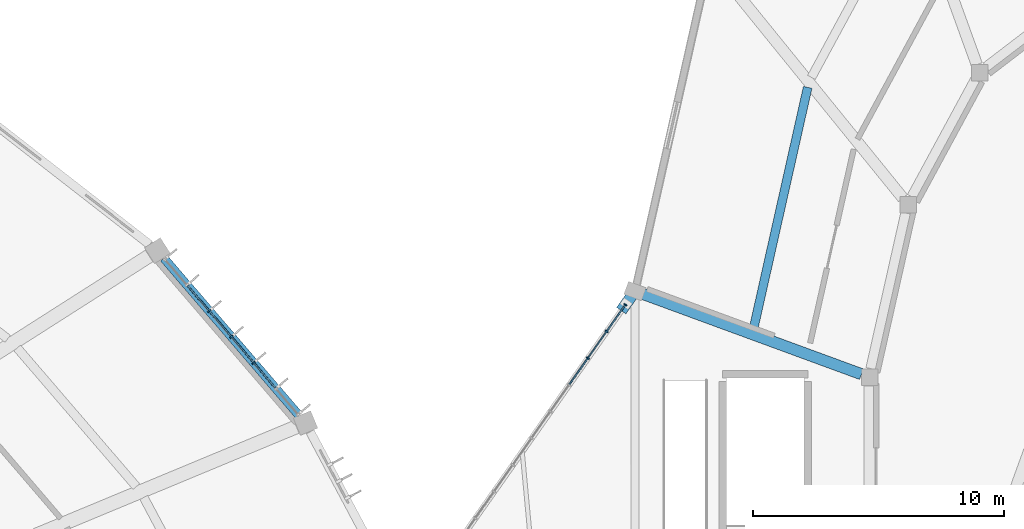
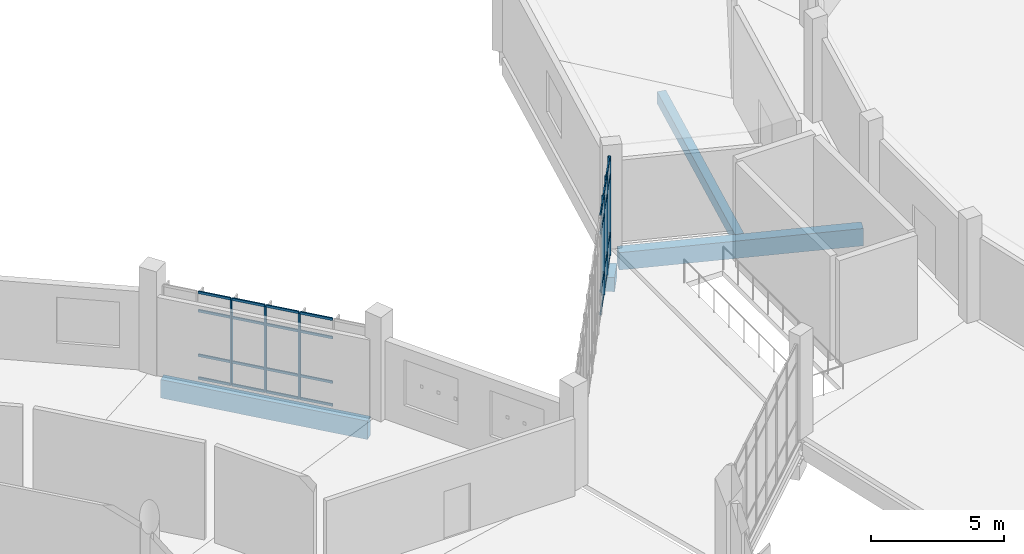
# One storey, part 63 of 179: 34 members, 4 beams, 2 elements without a shape of their own.
"""IFC4 building model written with IfcOpenShell, lengths in metres."""

from ifc_helpers import new_model, si_unit, direction, frame, origin, origin_2d, place, context, subcontext, project, spatial, rectangle, extrude, material, layer, layer_set, material_profile, profile_set, type_object, element, aggregate, save


model = new_model("IFC4")

# Units and contexts
model_context = context("Model", 3, precision=1e-05, world=origin(), true_north=direction((0.0, 1.0)))
body_context = subcontext(model_context, "Body", "Model", "MODEL_VIEW")
ifc_project = project(units=[si_unit("LENGTHUNIT", "METRE"), si_unit("AREAUNIT", "SQUARE_METRE"), si_unit("VOLUMEUNIT", "CUBIC_METRE"), si_unit("PLANEANGLEUNIT", "RADIAN"), si_unit("MASSUNIT", "GRAM", prefix="KILO")], contexts=[model_context])

# Site, building, storey
site_placement = place(None, origin())
site = spatial("IfcSite", under=ifc_project, at=site_placement, CompositionType="ELEMENT")
building_placement = place(site_placement, origin())
building = spatial("IfcBuilding", under=site, at=building_placement, Name="Corvandel Quay Wholesale Market", CompositionType="ELEMENT")
storey_placement = place(building_placement, frame((0.0, 0.0, 6.0)))
storey = spatial("IfcBuildingStorey", under=building, at=storey_placement, Name="L01", CompositionType="ELEMENT", Elevation=6.0)

# Beam
ifc_material_1 = material(Name="Precast concrete C45/55", Category="concrete")
ifc_material_profile_1 = material_profile(ifc_material_1, rectangle(XDim=0.449951171875, YDim=0.800048828125, at=origin_2d()), Name="PC-GIR-450x800")
ifc_profile_set_1 = profile_set([ifc_material_profile_1], Name="Precast concrete C45/55")
beam_type_1 = type_object("IfcBeamType", Name="Auction Pavilion Girder G05 450x800", PredefinedType="USERDEFINED", material=ifc_profile_set_1)
beam_1_placement = place(storey_placement, frame((175.25341796875, 67.06787109375, -0.639892578125), z_axis=(0.938719908287, -0.344680915899, 0.0), x_axis=(0.344680915899, 0.938719908287, 0.0)))
element("IfcBeam", 1, at=beam_1_placement, inside=storey, type_object=beam_type_1, Name="Beam BM-0844", ObjectType="GIRDER", PredefinedType="USERDEFINED", context=body_context, shape_type="SweptSolid", body=[
    extrude(rectangle(XDim=0.449951171875, YDim=0.800048828125, at=origin_2d()), origin(), (0.0, 0.0, 1.0), 9.35595703125),
])

# Curtain wall, members
ifc_material_2 = material(Name="Bronze anodised aluminium and low-E insulated glazing", Category="aluminium")
ifc_layer_1 = layer(ifc_material_2, 0.162109375)
ifc_layer_set_1 = layer_set([ifc_layer_1], Name="Bronze anodised aluminium and low-E insulated glazing")
curtain_wall_type_1 = type_object("IfcCurtainWallType", Name="Stick Curtain Wall System CW26 H5340", PredefinedType="NOTDEFINED", material=ifc_layer_set_1)
curtain_wall_1_placement = place(storey_placement, origin())
curtain_wall_1 = element("IfcCurtainWall", 2, at=curtain_wall_1_placement, inside=storey, type_object=curtain_wall_type_1, Name="Curtain Wall CW-0177", PredefinedType="NOTDEFINED")
ifc_material_3 = material(Name="Anodised aluminium 6063-T6", Category="aluminium")
ifc_material_profile_2 = material_profile(ifc_material_3, rectangle(XDim=0.06005859375, YDim=0.1298828125, at=origin_2d()), Name="ALU-MUL-60x130")
ifc_profile_set_2 = profile_set([ifc_material_profile_2], Name="Anodised aluminium 6063-T6")
member_type_1 = type_object("IfcMemberType", Name="Clerestory Mullion ML03 60x130", PredefinedType="MULLION", material=ifc_profile_set_2)
member_1_placement = place(storey_placement, frame((173.11962890625, 64.486083984375, -0.030029296875), z_axis=(0.0, 0.0, 1.0), x_axis=(0.575148037348, 0.818049347616, 0.0)))
member_1 = element("IfcMember", 3, at=member_1_placement, type_object=member_type_1, Name="Mullion CW-0177-M09", PredefinedType="MULLION", context=body_context, shape_type="SweptSolid", body=[
    extrude(rectangle(XDim=0.06005859375, YDim=0.1298828125, at=origin_2d()), origin(), (0.0, 0.0, 1.0), 4.580078125),
])
member_2_placement = place(storey_placement, frame((173.86865234375, 65.551513671875, -0.030029296875), z_axis=(0.0, 0.0, 1.0), x_axis=(0.575148037348, 0.818049347616, 0.0)))
member_2 = element("IfcMember", 4, at=member_2_placement, type_object=member_type_1, Name="Mullion CW-0177-M10", PredefinedType="MULLION", context=body_context, shape_type="SweptSolid", body=[
    extrude(rectangle(XDim=0.06005859375, YDim=0.1298828125, at=origin_2d()), origin(), (0.0, 0.0, 1.0), 4.580078125),
])
member_3_placement = place(storey_placement, frame((174.61767578125, 66.616943359375, -0.030029296875), z_axis=(0.0, 0.0, 1.0), x_axis=(0.575148037348, 0.818049347616, 0.0)))
member_3 = element("IfcMember", 5, at=member_3_placement, type_object=member_type_1, Name="Mullion CW-0177-M11", PredefinedType="MULLION", context=body_context, shape_type="SweptSolid", body=[
    extrude(rectangle(XDim=0.06005859375, YDim=0.1298828125, at=origin_2d()), origin(), (0.0, 0.0, 1.0), 4.580078125),
])
ifc_material_profile_3 = material_profile(ifc_material_3, rectangle(XDim=0.054931640625, YDim=0.094970703125, at=origin_2d()), Name="ALU-TRN-55x95")
ifc_profile_set_3 = profile_set([ifc_material_profile_3], Name="Anodised aluminium 6063-T6")
member_type_2 = type_object("IfcMemberType", Name="Clerestory Transom TR03 55x95", PredefinedType="USERDEFINED", material=ifc_profile_set_3)
member_4_placement = place(storey_placement, frame((172.387939453125, 63.4453125, -0.030029296875), z_axis=(0.575254836371, 0.817974249736, 0.0), x_axis=(-0.817974249736, 0.575254836371, 0.0)))
member_4 = element("IfcMember", 6, at=member_4_placement, type_object=member_type_2, Name="Transom CW-0177-T08-0", ObjectType="TRANSOM", PredefinedType="USERDEFINED", context=body_context, shape_type="SweptSolid", body=[
    extrude(rectangle(XDim=0.054931640625, YDim=0.094970703125, at=origin_2d()), origin(), (0.0, 0.0, 1.0), 1.2421875),
])
member_5_placement = place(storey_placement, frame((172.387939453125, 63.4453125, 1.02001953125), z_axis=(0.575254836371, 0.817974249736, 0.0), x_axis=(-0.817974249736, 0.575254836371, 0.0)))
member_5 = element("IfcMember", 7, at=member_5_placement, type_object=member_type_2, Name="Transom CW-0177-T08-1", ObjectType="TRANSOM", PredefinedType="USERDEFINED", context=body_context, shape_type="SweptSolid", body=[
    extrude(rectangle(XDim=0.054931640625, YDim=0.094970703125, at=origin_2d()), origin(), (0.0, 0.0, 1.0), 1.2421875),
])
member_6_placement = place(storey_placement, frame((172.387939453125, 63.4453125, 3.699951171875), z_axis=(0.575254836371, 0.817974249736, 0.0), x_axis=(-0.817974249736, 0.575254836371, 0.0)))
member_6 = element("IfcMember", 8, at=member_6_placement, type_object=member_type_2, Name="Transom CW-0177-T08-2", ObjectType="TRANSOM", PredefinedType="USERDEFINED", context=body_context, shape_type="SweptSolid", body=[
    extrude(rectangle(XDim=0.054931640625, YDim=0.094970703125, at=origin_2d()), origin(), (0.0, 0.0, 1.0), 1.2421875),
])
member_7_placement = place(storey_placement, frame((172.387939453125, 63.4453125, 4.550048828125), z_axis=(0.575254836371, 0.817974249736, 0.0), x_axis=(-0.817974249736, 0.575254836371, 0.0)))
member_7 = element("IfcMember", 9, at=member_7_placement, type_object=member_type_2, Name="Transom CW-0177-T08-3", ObjectType="TRANSOM", PredefinedType="USERDEFINED", context=body_context, shape_type="SweptSolid", body=[
    extrude(rectangle(XDim=0.054931640625, YDim=0.094970703125, at=origin_2d()), origin(), (0.0, 0.0, 1.0), 1.2421875),
])
member_8_placement = place(storey_placement, frame((173.136962890625, 64.510498046875, -0.030029296875), z_axis=(0.57503085041, 0.818131725993, 0.0), x_axis=(-0.818131725993, 0.57503085041, 0.0)))
member_8 = element("IfcMember", 10, at=member_8_placement, type_object=member_type_2, Name="Transom CW-0177-T09-0", ObjectType="TRANSOM", PredefinedType="USERDEFINED", context=body_context, shape_type="SweptSolid", body=[
    extrude(rectangle(XDim=0.054931640625, YDim=0.094970703125, at=origin_2d()), origin(), (0.0, 0.0, 1.0), 1.2421875),
])
member_9_placement = place(storey_placement, frame((173.136962890625, 64.510498046875, 1.02001953125), z_axis=(0.57503085041, 0.818131725993, 0.0), x_axis=(-0.818131725993, 0.57503085041, 0.0)))
member_9 = element("IfcMember", 11, at=member_9_placement, type_object=member_type_2, Name="Transom CW-0177-T09-1", ObjectType="TRANSOM", PredefinedType="USERDEFINED", context=body_context, shape_type="SweptSolid", body=[
    extrude(rectangle(XDim=0.054931640625, YDim=0.094970703125, at=origin_2d()), origin(), (0.0, 0.0, 1.0), 1.2421875),
])
member_10_placement = place(storey_placement, frame((173.136962890625, 64.510498046875, 3.699951171875), z_axis=(0.57503085041, 0.818131725993, 0.0), x_axis=(-0.818131725993, 0.57503085041, 0.0)))
member_10 = element("IfcMember", 12, at=member_10_placement, type_object=member_type_2, Name="Transom CW-0177-T09-2", ObjectType="TRANSOM", PredefinedType="USERDEFINED", context=body_context, shape_type="SweptSolid", body=[
    extrude(rectangle(XDim=0.054931640625, YDim=0.094970703125, at=origin_2d()), origin(), (0.0, 0.0, 1.0), 1.2421875),
])
member_11_placement = place(storey_placement, frame((173.136962890625, 64.510498046875, 4.550048828125), z_axis=(0.57503085041, 0.818131725993, 0.0), x_axis=(-0.818131725993, 0.57503085041, 0.0)))
member_11 = element("IfcMember", 13, at=member_11_placement, type_object=member_type_2, Name="Transom CW-0177-T09-3", ObjectType="TRANSOM", PredefinedType="USERDEFINED", context=body_context, shape_type="SweptSolid", body=[
    extrude(rectangle(XDim=0.054931640625, YDim=0.094970703125, at=origin_2d()), origin(), (0.0, 0.0, 1.0), 1.2421875),
])
member_12_placement = place(storey_placement, frame((173.885986328125, 65.575927734375, -0.030029296875), z_axis=(0.57503085041, 0.818131725993, 0.0), x_axis=(-0.818131725993, 0.57503085041, 0.0)))
member_12 = element("IfcMember", 14, at=member_12_placement, type_object=member_type_2, Name="Transom CW-0177-T10-0", ObjectType="TRANSOM", PredefinedType="USERDEFINED", context=body_context, shape_type="SweptSolid", body=[
    extrude(rectangle(XDim=0.054931640625, YDim=0.094970703125, at=origin_2d()), origin(), (0.0, 0.0, 1.0), 1.2421875),
])
member_13_placement = place(storey_placement, frame((173.885986328125, 65.575927734375, 1.02001953125), z_axis=(0.57503085041, 0.818131725993, 0.0), x_axis=(-0.818131725993, 0.57503085041, 0.0)))
member_13 = element("IfcMember", 15, at=member_13_placement, type_object=member_type_2, Name="Transom CW-0177-T10-1", ObjectType="TRANSOM", PredefinedType="USERDEFINED", context=body_context, shape_type="SweptSolid", body=[
    extrude(rectangle(XDim=0.054931640625, YDim=0.094970703125, at=origin_2d()), origin(), (0.0, 0.0, 1.0), 1.2421875),
])
member_14_placement = place(storey_placement, frame((173.885986328125, 65.575927734375, 3.699951171875), z_axis=(0.57503085041, 0.818131725993, 0.0), x_axis=(-0.818131725993, 0.57503085041, 0.0)))
member_14 = element("IfcMember", 16, at=member_14_placement, type_object=member_type_2, Name="Transom CW-0177-T10-2", ObjectType="TRANSOM", PredefinedType="USERDEFINED", context=body_context, shape_type="SweptSolid", body=[
    extrude(rectangle(XDim=0.054931640625, YDim=0.094970703125, at=origin_2d()), origin(), (0.0, 0.0, 1.0), 1.2421875),
])
member_15_placement = place(storey_placement, frame((173.885986328125, 65.575927734375, 4.550048828125), z_axis=(0.57503085041, 0.818131725993, 0.0), x_axis=(-0.818131725993, 0.57503085041, 0.0)))
member_15 = element("IfcMember", 17, at=member_15_placement, type_object=member_type_2, Name="Transom CW-0177-T10-3", ObjectType="TRANSOM", PredefinedType="USERDEFINED", context=body_context, shape_type="SweptSolid", body=[
    extrude(rectangle(XDim=0.054931640625, YDim=0.094970703125, at=origin_2d()), origin(), (0.0, 0.0, 1.0), 1.2421875),
])
aggregate(curtain_wall_1, [member_1, member_2, member_3, member_4, member_5, member_6, member_7, member_8, member_9, member_10, member_11, member_12, member_13, member_14, member_15])

ifc_layer_2 = layer(ifc_material_2, 0.174072265625)
ifc_layer_set_2 = layer_set([ifc_layer_2], Name="Bronze anodised aluminium and low-E insulated glazing")
curtain_wall_type_2 = type_object("IfcCurtainWallType", Name="Stick Curtain Wall System CW07 H3630", PredefinedType="NOTDEFINED", material=ifc_layer_set_2)
curtain_wall_2_placement = place(storey_placement, origin())
curtain_wall_2 = element("IfcCurtainWall", 18, at=curtain_wall_2_placement, inside=storey, type_object=curtain_wall_type_2, Name="Curtain Wall CW-0006", PredefinedType="NOTDEFINED")
ifc_material_profile_4 = material_profile(ifc_material_3, rectangle(XDim=0.06494140625, YDim=0.14990234375, at=origin_2d()), Name="ALU-MUL-65x150")
ifc_profile_set_4 = profile_set([ifc_material_profile_4], Name="Anodised aluminium 6063-T6")
member_type_3 = type_object("IfcMemberType", Name="Curtain Wall Mullion ML02 65x150", PredefinedType="MULLION", material=ifc_profile_set_4)
member_16_placement = place(storey_placement, frame((159.78662109375, 64.30078125, 0.0), z_axis=(0.0, 0.0, 1.0), x_axis=(-0.651568967347, 0.758589401976, 0.0)))
member_16 = element("IfcMember", 19, at=member_16_placement, type_object=member_type_3, Name="Mullion CW-0006-M02", PredefinedType="MULLION", context=body_context, shape_type="SweptSolid", body=[
    extrude(rectangle(XDim=0.06494140625, YDim=0.14990234375, at=origin_2d()), origin(), (0.0, 0.0, 1.0), 3.949951171875),
])
member_17_placement = place(storey_placement, frame((158.8994140625, 65.33349609375, 0.0), z_axis=(0.0, 0.0, 1.0), x_axis=(-0.651568967347, 0.758589401976, 0.0)))
member_17 = element("IfcMember", 20, at=member_17_placement, type_object=member_type_3, Name="Mullion CW-0006-M03", PredefinedType="MULLION", context=body_context, shape_type="SweptSolid", body=[
    extrude(rectangle(XDim=0.06494140625, YDim=0.14990234375, at=origin_2d()), origin(), (0.0, 0.0, 1.0), 3.949951171875),
])
member_18_placement = place(storey_placement, frame((158.012451171875, 66.3662109375, 0.0), z_axis=(0.0, 0.0, 1.0), x_axis=(-0.651568967347, 0.758589401976, 0.0)))
member_18 = element("IfcMember", 21, at=member_18_placement, type_object=member_type_3, Name="Mullion CW-0006-M04", PredefinedType="MULLION", context=body_context, shape_type="SweptSolid", body=[
    extrude(rectangle(XDim=0.06494140625, YDim=0.14990234375, at=origin_2d()), origin(), (0.0, 0.0, 1.0), 3.949951171875),
])
ifc_material_profile_5 = material_profile(ifc_material_3, rectangle(XDim=0.06005859375, YDim=0.110107421875, at=origin_2d()), Name="ALU-TRN-60x110")
ifc_profile_set_5 = profile_set([ifc_material_profile_5], Name="Anodised aluminium 6063-T6")
member_type_4 = type_object("IfcMemberType", Name="Curtain Wall Transom TR02 60x110", PredefinedType="USERDEFINED", material=ifc_profile_set_5)
member_19_placement = place(storey_placement, frame((160.652587890625, 63.292724609375, 0.0), z_axis=(-0.651597471756, 0.758564917987, 0.0), x_axis=(-0.758564917987, -0.651597471756, 0.0)))
member_19 = element("IfcMember", 22, at=member_19_placement, type_object=member_type_4, Name="Transom CW-0006-T01-0", ObjectType="TRANSOM", PredefinedType="USERDEFINED", context=body_context, shape_type="SweptSolid", body=[
    extrude(rectangle(XDim=0.06005859375, YDim=0.110107421875, at=origin_2d()), origin(), (0.0, 0.0, 1.0), 1.29638671875),
])
member_20_placement = place(storey_placement, frame((160.652587890625, 63.292724609375, 1.050048828125), z_axis=(-0.651597471756, 0.758564917987, 0.0), x_axis=(-0.758564917987, -0.651597471756, 0.0)))
member_20 = element("IfcMember", 23, at=member_20_placement, type_object=member_type_4, Name="Transom CW-0006-T01-1", ObjectType="TRANSOM", PredefinedType="USERDEFINED", context=body_context, shape_type="SweptSolid", body=[
    extrude(rectangle(XDim=0.06005859375, YDim=0.110107421875, at=origin_2d()), origin(), (0.0, 0.0, 1.0), 1.29638671875),
])
member_21_placement = place(storey_placement, frame((160.652587890625, 63.292724609375, 3.10009765625), z_axis=(-0.651597471756, 0.758564917987, 0.0), x_axis=(-0.758564917987, -0.651597471756, 0.0)))
member_21 = element("IfcMember", 24, at=member_21_placement, type_object=member_type_4, Name="Transom CW-0006-T01-2", ObjectType="TRANSOM", PredefinedType="USERDEFINED", context=body_context, shape_type="SweptSolid", body=[
    extrude(rectangle(XDim=0.06005859375, YDim=0.110107421875, at=origin_2d()), origin(), (0.0, 0.0, 1.0), 1.29638671875),
])
member_22_placement = place(storey_placement, frame((160.652587890625, 63.292724609375, 3.949951171875), z_axis=(-0.651597471756, 0.758564917987, 0.0), x_axis=(-0.758564917987, -0.651597471756, 0.0)))
member_22 = element("IfcMember", 25, at=member_22_placement, type_object=member_type_4, Name="Transom CW-0006-T01-3", ObjectType="TRANSOM", PredefinedType="USERDEFINED", context=body_context, shape_type="SweptSolid", body=[
    extrude(rectangle(XDim=0.06005859375, YDim=0.110107421875, at=origin_2d()), origin(), (0.0, 0.0, 1.0), 1.29638671875),
])
member_23_placement = place(storey_placement, frame((159.765380859375, 64.325439453125, 0.0), z_axis=(-0.651597471756, 0.758564917987, 0.0), x_axis=(-0.758564917987, -0.651597471756, 0.0)))
member_23 = element("IfcMember", 26, at=member_23_placement, type_object=member_type_4, Name="Transom CW-0006-T02-0", ObjectType="TRANSOM", PredefinedType="USERDEFINED", context=body_context, shape_type="SweptSolid", body=[
    extrude(rectangle(XDim=0.06005859375, YDim=0.110107421875, at=origin_2d()), origin(), (0.0, 0.0, 1.0), 1.29638671875),
])
member_24_placement = place(storey_placement, frame((159.765380859375, 64.325439453125, 1.050048828125), z_axis=(-0.651597471756, 0.758564917987, 0.0), x_axis=(-0.758564917987, -0.651597471756, 0.0)))
member_24 = element("IfcMember", 27, at=member_24_placement, type_object=member_type_4, Name="Transom CW-0006-T02-1", ObjectType="TRANSOM", PredefinedType="USERDEFINED", context=body_context, shape_type="SweptSolid", body=[
    extrude(rectangle(XDim=0.06005859375, YDim=0.110107421875, at=origin_2d()), origin(), (0.0, 0.0, 1.0), 1.29638671875),
])
member_25_placement = place(storey_placement, frame((159.765380859375, 64.325439453125, 3.10009765625), z_axis=(-0.651597471756, 0.758564917987, 0.0), x_axis=(-0.758564917987, -0.651597471756, 0.0)))
member_25 = element("IfcMember", 28, at=member_25_placement, type_object=member_type_4, Name="Transom CW-0006-T02-2", ObjectType="TRANSOM", PredefinedType="USERDEFINED", context=body_context, shape_type="SweptSolid", body=[
    extrude(rectangle(XDim=0.06005859375, YDim=0.110107421875, at=origin_2d()), origin(), (0.0, 0.0, 1.0), 1.29638671875),
])
member_26_placement = place(storey_placement, frame((159.765380859375, 64.325439453125, 3.949951171875), z_axis=(-0.651597471756, 0.758564917987, 0.0), x_axis=(-0.758564917987, -0.651597471756, 0.0)))
member_26 = element("IfcMember", 29, at=member_26_placement, type_object=member_type_4, Name="Transom CW-0006-T02-3", ObjectType="TRANSOM", PredefinedType="USERDEFINED", context=body_context, shape_type="SweptSolid", body=[
    extrude(rectangle(XDim=0.06005859375, YDim=0.110107421875, at=origin_2d()), origin(), (0.0, 0.0, 1.0), 1.29638671875),
])
member_27_placement = place(storey_placement, frame((158.87841796875, 65.358154296875, 0.0), z_axis=(-0.651597471756, 0.758564917987, 0.0), x_axis=(-0.758564917987, -0.651597471756, 0.0)))
member_27 = element("IfcMember", 30, at=member_27_placement, type_object=member_type_4, Name="Transom CW-0006-T03-0", ObjectType="TRANSOM", PredefinedType="USERDEFINED", context=body_context, shape_type="SweptSolid", body=[
    extrude(rectangle(XDim=0.06005859375, YDim=0.110107421875, at=origin_2d()), origin(), (0.0, 0.0, 1.0), 1.29638671875),
])
member_28_placement = place(storey_placement, frame((158.87841796875, 65.358154296875, 1.050048828125), z_axis=(-0.651597471756, 0.758564917987, 0.0), x_axis=(-0.758564917987, -0.651597471756, 0.0)))
member_28 = element("IfcMember", 31, at=member_28_placement, type_object=member_type_4, Name="Transom CW-0006-T03-1", ObjectType="TRANSOM", PredefinedType="USERDEFINED", context=body_context, shape_type="SweptSolid", body=[
    extrude(rectangle(XDim=0.06005859375, YDim=0.110107421875, at=origin_2d()), origin(), (0.0, 0.0, 1.0), 1.29638671875),
])
member_29_placement = place(storey_placement, frame((158.87841796875, 65.358154296875, 3.10009765625), z_axis=(-0.651597471756, 0.758564917987, 0.0), x_axis=(-0.758564917987, -0.651597471756, 0.0)))
member_29 = element("IfcMember", 32, at=member_29_placement, type_object=member_type_4, Name="Transom CW-0006-T03-2", ObjectType="TRANSOM", PredefinedType="USERDEFINED", context=body_context, shape_type="SweptSolid", body=[
    extrude(rectangle(XDim=0.06005859375, YDim=0.110107421875, at=origin_2d()), origin(), (0.0, 0.0, 1.0), 1.29638671875),
])
member_30_placement = place(storey_placement, frame((158.87841796875, 65.358154296875, 3.949951171875), z_axis=(-0.651597471756, 0.758564917987, 0.0), x_axis=(-0.758564917987, -0.651597471756, 0.0)))
member_30 = element("IfcMember", 33, at=member_30_placement, type_object=member_type_4, Name="Transom CW-0006-T03-3", ObjectType="TRANSOM", PredefinedType="USERDEFINED", context=body_context, shape_type="SweptSolid", body=[
    extrude(rectangle(XDim=0.06005859375, YDim=0.110107421875, at=origin_2d()), origin(), (0.0, 0.0, 1.0), 1.29638671875),
])
member_31_placement = place(storey_placement, frame((157.9912109375, 66.390869140625, 0.0), z_axis=(-0.651597471756, 0.758564917987, 0.0), x_axis=(-0.758564917987, -0.651597471756, 0.0)))
member_31 = element("IfcMember", 34, at=member_31_placement, type_object=member_type_4, Name="Transom CW-0006-T04-0", ObjectType="TRANSOM", PredefinedType="USERDEFINED", context=body_context, shape_type="SweptSolid", body=[
    extrude(rectangle(XDim=0.06005859375, YDim=0.110107421875, at=origin_2d()), origin(), (0.0, 0.0, 1.0), 1.29638671875),
])
member_32_placement = place(storey_placement, frame((157.9912109375, 66.390869140625, 1.050048828125), z_axis=(-0.651597471756, 0.758564917987, 0.0), x_axis=(-0.758564917987, -0.651597471756, 0.0)))
member_32 = element("IfcMember", 35, at=member_32_placement, type_object=member_type_4, Name="Transom CW-0006-T04-1", ObjectType="TRANSOM", PredefinedType="USERDEFINED", context=body_context, shape_type="SweptSolid", body=[
    extrude(rectangle(XDim=0.06005859375, YDim=0.110107421875, at=origin_2d()), origin(), (0.0, 0.0, 1.0), 1.29638671875),
])
member_33_placement = place(storey_placement, frame((157.9912109375, 66.390869140625, 3.10009765625), z_axis=(-0.651597471756, 0.758564917987, 0.0), x_axis=(-0.758564917987, -0.651597471756, 0.0)))
member_33 = element("IfcMember", 36, at=member_33_placement, type_object=member_type_4, Name="Transom CW-0006-T04-2", ObjectType="TRANSOM", PredefinedType="USERDEFINED", context=body_context, shape_type="SweptSolid", body=[
    extrude(rectangle(XDim=0.06005859375, YDim=0.110107421875, at=origin_2d()), origin(), (0.0, 0.0, 1.0), 1.29638671875),
])
member_34_placement = place(storey_placement, frame((157.9912109375, 66.390869140625, 3.949951171875), z_axis=(-0.651597471756, 0.758564917987, 0.0), x_axis=(-0.758564917987, -0.651597471756, 0.0)))
member_34 = element("IfcMember", 37, at=member_34_placement, type_object=member_type_4, Name="Transom CW-0006-T04-3", ObjectType="TRANSOM", PredefinedType="USERDEFINED", context=body_context, shape_type="SweptSolid", body=[
    extrude(rectangle(XDim=0.06005859375, YDim=0.110107421875, at=origin_2d()), origin(), (0.0, 0.0, 1.0), 1.29638671875),
])
aggregate(curtain_wall_2, [member_16, member_17, member_18, member_19, member_20, member_21, member_22, member_23, member_24, member_25, member_26, member_27, member_28, member_29, member_30, member_31, member_32, member_33, member_34])

# Beams
ifc_material_profile_6 = material_profile(ifc_material_1, rectangle(XDim=0.35009765625, YDim=0.85009765625, at=origin_2d()), Name="PC-SPN-350x850")
ifc_profile_set_6 = profile_set([ifc_material_profile_6], Name="Precast concrete C45/55")
beam_type_2 = type_object("IfcBeamType", Name="Perimeter Precast Spandrel SP01 350x850", PredefinedType="SPANDREL", material=ifc_profile_set_6)
beam_2_placement = place(storey_placement, frame((161.5966796875, 62.193603515625, -0.72509765625), z_axis=(-0.651599746729, 0.758562963809, 0.0), x_axis=(-0.758562963809, -0.651599746729, 0.0)))
element("IfcBeam", 38, at=beam_2_placement, inside=storey, type_object=beam_type_2, Name="Beam BM-0027", PredefinedType="SPANDREL", context=body_context, shape_type="SweptSolid", body=[
    extrude(rectangle(XDim=0.35009765625, YDim=0.85009765625, at=origin_2d()), origin(), (0.0, 0.0, 1.0), 8.278564453125),
])
ifc_material_profile_7 = material_profile(ifc_material_1, rectangle(XDim=0.449951171875, YDim=0.64990234375, at=origin_2d()), Name="PC-COR-680x650")
ifc_profile_set_7 = profile_set([ifc_material_profile_7], Name="Precast concrete C45/55")
beam_type_3 = type_object("IfcBeamType", Name="Seismic Joint Precast Corbel CB01 680x650", PredefinedType="BEAM", material=ifc_profile_set_7)
beam_3_placement = place(storey_placement, frame((175.0, 67.160888671875, -1.156982421875), z_axis=(-0.57517675199, -0.818029158386, 0.0), x_axis=(0.818029158386, -0.57517675199, 0.0)))
element("IfcBeam", 39, at=beam_3_placement, inside=storey, type_object=beam_type_3, Name="Beam BM-1793", PredefinedType="BEAM", context=body_context, shape_type="SweptSolid", body=[
    extrude(rectangle(XDim=0.449951171875, YDim=0.64990234375, at=origin_2d()), origin(), (0.0, 0.0, 1.0), 0.955078125),
])
ifc_material_profile_8 = material_profile(ifc_material_1, rectangle(XDim=0.35009765625, YDim=0.550048828125, at=origin_2d()), Name="PC-BM-350x550")
ifc_profile_set_8 = profile_set([ifc_material_profile_8], Name="Precast concrete C45/55")
beam_type_4 = type_object("IfcBeamType", Name="Standard Floor Secondary Beam B03 350x550", PredefinedType="BEAM", material=ifc_profile_set_8)
beam_4_placement = place(storey_placement, frame((181.889404296875, 75.2880859375, -0.514892578125), z_axis=(-0.218963891009, -0.975732962667, 0.0), x_axis=(0.975732962667, -0.218963891009, 0.0)))
element("IfcBeam", 40, at=beam_4_placement, inside=storey, type_object=beam_type_4, Name="Beam BM-0834", PredefinedType="BEAM", context=body_context, shape_type="SweptSolid", body=[
    extrude(rectangle(XDim=0.35009765625, YDim=0.550048828125, at=origin_2d()), origin(), (0.0, 0.0, 1.0), 9.87548828125),
])

save(model, "model.ifc")
